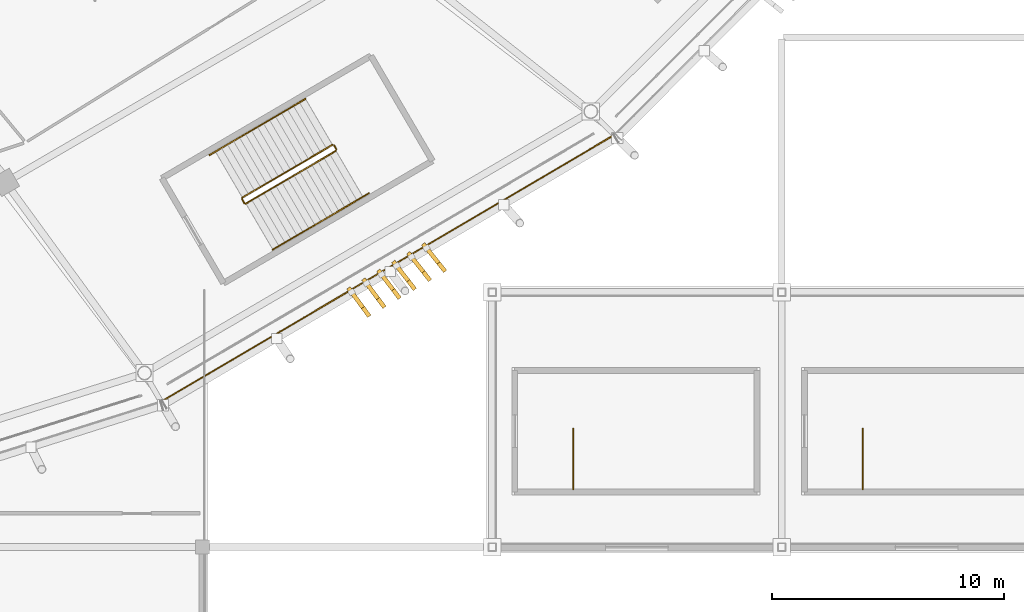
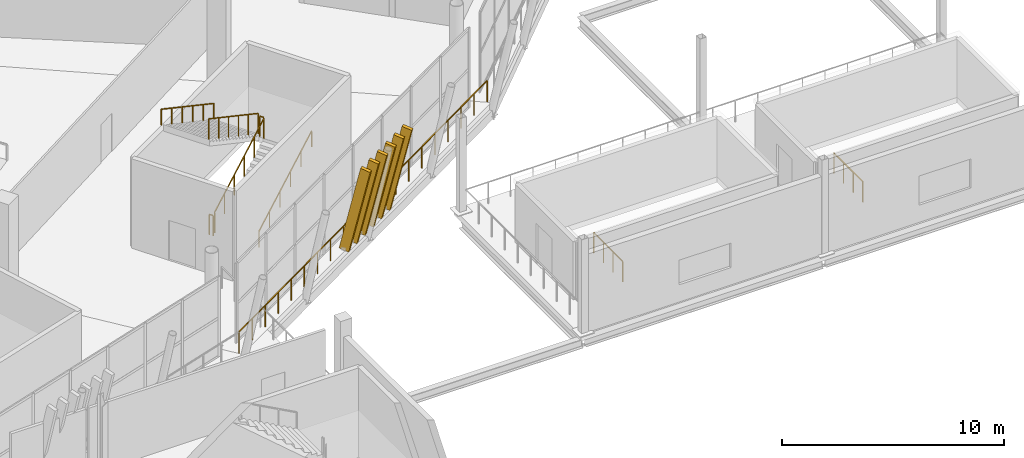
# One storey, part 160 of 178: 9 railings, 6 shading devices.
"""IFC4 building model written with IfcOpenShell, lengths in metres."""

from ifc_helpers import new_model, si_unit, direction, frame, origin, origin_2d, place, context, subcontext, project, spatial, rectangle, extrude, material, material_profile, profile_set, type_object, element, save


model = new_model("IFC4")

# Units and contexts
model_context = context("Model", 3, precision=1e-05, world=origin(), true_north=direction((0.0, 1.0)))
body_context = subcontext(model_context, "Body", "Model", "MODEL_VIEW")
ifc_project = project(units=[si_unit("LENGTHUNIT", "METRE"), si_unit("AREAUNIT", "SQUARE_METRE"), si_unit("VOLUMEUNIT", "CUBIC_METRE"), si_unit("PLANEANGLEUNIT", "RADIAN"), si_unit("MASSUNIT", "GRAM", prefix="KILO")], contexts=[model_context])

# Site, building, storey
site_placement = place(None, origin())
site = spatial("IfcSite", under=ifc_project, at=site_placement, CompositionType="ELEMENT")
building_placement = place(site_placement, origin())
building = spatial("IfcBuilding", under=site, at=building_placement, Name="Zlatoyarsky Gate Stadium", CompositionType="ELEMENT")
storey_placement = place(building_placement, frame((0.0, 0.0, 5.39990234375)))
storey = spatial("IfcBuildingStorey", under=building, at=storey_placement, Name="L01", CompositionType="ELEMENT", Elevation=5.39990234375)

# Railings
ifc_material_1 = material(Name="Powder-coated steel tubular guardrail", Category="steel")
railing_type_1 = type_object("IfcRailingType", Name="CONCOURSE SLAB EDGE GUARDRAIL 1200", PredefinedType="GUARDRAIL", material=ifc_material_1)
railing_1_placement = place(storey_placement, frame((158.214111328125, 17.275146484375, 0.0)))
element("IfcRailing", 1, at=railing_1_placement, inside=storey, type_object=railing_type_1, Name="L01 outer slab edge guardrail 20", PredefinedType="GUARDRAIL", context=body_context, shape_type="SweptSolid", body=[
    extrude(rectangle(XDim=0.048095703125, YDim=0.048095703125, at=origin_2d()), frame((0.0, 0.0, 1.17578125), z_axis=(0.861814713094, 0.507223225311, 0.0), x_axis=(-0.507223225311, 0.861814713094, 0.0)), (0.0, 0.0, 1.0), 22.692626953125),
    extrude(rectangle(XDim=0.0419921875, YDim=0.0419921875, at=origin_2d()), origin(), (0.0, 0.0, 1.0), 1.15185546875),
    extrude(rectangle(XDim=0.0419921875, YDim=0.0419921875, at=origin_2d()), frame((1.029296875, 0.605712890625, 0.0)), (0.0, 0.0, 1.0), 1.15185546875),
    extrude(rectangle(XDim=0.0419921875, YDim=0.0419921875, at=origin_2d()), frame((2.05859375, 1.211669921875, 0.0)), (0.0, 0.0, 1.0), 1.15185546875),
    extrude(rectangle(XDim=0.0419921875, YDim=0.0419921875, at=origin_2d()), frame((3.087890625, 1.8173828125, 0.0)), (0.0, 0.0, 1.0), 1.15185546875),
    extrude(rectangle(XDim=0.0419921875, YDim=0.0419921875, at=origin_2d()), frame((4.1171875, 2.423095703125, 0.0)), (0.0, 0.0, 1.0), 1.15185546875),
    extrude(rectangle(XDim=0.0419921875, YDim=0.0419921875, at=origin_2d()), frame((5.146484375, 3.029052734375, 0.0)), (0.0, 0.0, 1.0), 1.15185546875),
    extrude(rectangle(XDim=0.0419921875, YDim=0.0419921875, at=origin_2d()), frame((6.17578125, 3.634765625, 0.0)), (0.0, 0.0, 1.0), 1.15185546875),
    extrude(rectangle(XDim=0.0419921875, YDim=0.0419921875, at=origin_2d()), frame((7.205078125, 4.24072265625, 0.0)), (0.0, 0.0, 1.0), 1.15185546875),
    extrude(rectangle(XDim=0.0419921875, YDim=0.0419921875, at=origin_2d()), frame((8.234375, 4.846435546875, 0.0)), (0.0, 0.0, 1.0), 1.15185546875),
    extrude(rectangle(XDim=0.0419921875, YDim=0.0419921875, at=origin_2d()), frame((9.263671875, 5.4521484375, 0.0)), (0.0, 0.0, 1.0), 1.15185546875),
    extrude(rectangle(XDim=0.0419921875, YDim=0.0419921875, at=origin_2d()), frame((10.293212890625, 6.05810546875, 0.0)), (0.0, 0.0, 1.0), 1.15185546875),
    extrude(rectangle(XDim=0.0419921875, YDim=0.0419921875, at=origin_2d()), frame((11.322509765625, 6.663818359375, 0.0)), (0.0, 0.0, 1.0), 1.15185546875),
    extrude(rectangle(XDim=0.0419921875, YDim=0.0419921875, at=origin_2d()), frame((12.351806640625, 7.26953125, 0.0)), (0.0, 0.0, 1.0), 1.15185546875),
    extrude(rectangle(XDim=0.0419921875, YDim=0.0419921875, at=origin_2d()), frame((13.381103515625, 7.87548828125, 0.0)), (0.0, 0.0, 1.0), 1.15185546875),
    extrude(rectangle(XDim=0.0419921875, YDim=0.0419921875, at=origin_2d()), frame((14.410400390625, 8.481201171875, 0.0)), (0.0, 0.0, 1.0), 1.15185546875),
    extrude(rectangle(XDim=0.0419921875, YDim=0.0419921875, at=origin_2d()), frame((15.439697265625, 9.087158203125, 0.0)), (0.0, 0.0, 1.0), 1.15185546875),
    extrude(rectangle(XDim=0.0419921875, YDim=0.0419921875, at=origin_2d()), frame((16.468994140625, 9.69287109375, 0.0)), (0.0, 0.0, 1.0), 1.15185546875),
    extrude(rectangle(XDim=0.0419921875, YDim=0.0419921875, at=origin_2d()), frame((17.498291015625, 10.298583984375, 0.0)), (0.0, 0.0, 1.0), 1.15185546875),
    extrude(rectangle(XDim=0.0419921875, YDim=0.0419921875, at=origin_2d()), frame((18.527587890625, 10.904541015625, 0.0)), (0.0, 0.0, 1.0), 1.15185546875),
    extrude(rectangle(XDim=0.0419921875, YDim=0.0419921875, at=origin_2d()), frame((19.556884765625, 11.51025390625, 0.0)), (0.0, 0.0, 1.0), 1.15185546875),
])
ifc_material_2 = material(Name="Powder-coated steel stair guardrail", Category="steel")
railing_type_2 = type_object("IfcRailingType", Name="PAINTED STEEL STAIR WELL GUARDRAIL 1150", PredefinedType="GUARDRAIL", material=ifc_material_2)
railing_2_placement = place(storey_placement, frame((161.8779296875, 25.8232421875, 0.16259765625)))
element("IfcRailing", 2, at=railing_2_placement, inside=storey, type_object=railing_type_2, Name="ST-11 L01 stair guard 1", PredefinedType="GUARDRAIL", context=body_context, shape_type="SweptSolid", body=[
    extrude(rectangle(XDim=0.048095703125, YDim=0.048095703125, at=origin_2d()), frame((0.0, 0.0, 1.1259765625), z_axis=(0.758690244494, 0.444461582492, 0.476280394934), x_axis=(-0.505475820858, 0.862840770089, 0.0)), (0.0, 0.0, 1.0), 5.11767578125),
    extrude(rectangle(XDim=0.0419921875, YDim=0.0419921875, at=origin_2d()), origin(), (0.0, 0.0, 1.0), 1.101806640625),
    extrude(rectangle(XDim=0.0419921875, YDim=0.0419921875, at=origin_2d()), frame((0.776611328125, 0.454833984375, 0.487548828125)), (0.0, 0.0, 1.0), 1.101806640625),
    extrude(rectangle(XDim=0.0419921875, YDim=0.0419921875, at=origin_2d()), frame((1.55322265625, 0.909912109375, 0.97509765625)), (0.0, 0.0, 1.0), 1.101806640625),
    extrude(rectangle(XDim=0.0419921875, YDim=0.0419921875, at=origin_2d()), frame((2.32958984375, 1.36474609375, 1.46240234375)), (0.0, 0.0, 1.0), 1.101806640625),
    extrude(rectangle(XDim=0.0419921875, YDim=0.0419921875, at=origin_2d()), frame((3.106201171875, 1.81982421875, 1.949951171875)), (0.0, 0.0, 1.0), 1.101806640625),
    extrude(rectangle(XDim=0.0419921875, YDim=0.0419921875, at=origin_2d()), frame((3.8828125, 2.274658203125, 2.4375)), (0.0, 0.0, 1.0), 1.101806640625),
])
railing_3_placement = place(storey_placement, frame((165.778564453125, 28.166259765625, 2.60009765625)))
element("IfcRailing", 3, at=railing_3_placement, inside=storey, type_object=railing_type_2, Name="ST-11 L01 stair guard 2", PredefinedType="GUARDRAIL", context=body_context, shape_type="SweptSolid", body=[
    extrude(rectangle(XDim=0.048095703125, YDim=0.048095703125, at=origin_2d()), frame((0.0, 0.0, 1.1259765625), z_axis=(-0.505312229679, 0.862936585467, 0.0), x_axis=(-0.862936585467, -0.505312229679, 0.0)), (0.0, 0.0, 1.0), 0.199951171875),
    extrude(rectangle(XDim=0.0419921875, YDim=0.0419921875, at=origin_2d()), origin(), (0.0, 0.0, 1.0), 1.101806640625),
    extrude(rectangle(XDim=0.0419921875, YDim=0.0419921875, at=origin_2d()), frame((-0.10107421875, 0.172607421875, 0.0)), (0.0, 0.0, 1.0), 1.101806640625),
])
railing_4_placement = place(storey_placement, frame((165.609130859375, 28.356689453125, 2.7626953125)))
element("IfcRailing", 4, at=railing_4_placement, inside=storey, type_object=railing_type_2, Name="ST-11 L01 stair guard 3", PredefinedType="GUARDRAIL", context=body_context, shape_type="SweptSolid", body=[
    extrude(rectangle(XDim=0.048095703125, YDim=0.048095703125, at=origin_2d()), frame((0.0, 0.0, 1.1259765625), z_axis=(-0.758690244494, -0.444461582492, 0.476280394934), x_axis=(0.505475820858, -0.862840770089, 0.0)), (0.0, 0.0, 1.0), 5.11767578125),
    extrude(rectangle(XDim=0.0419921875, YDim=0.0419921875, at=origin_2d()), origin(), (0.0, 0.0, 1.0), 1.101806640625),
    extrude(rectangle(XDim=0.0419921875, YDim=0.0419921875, at=origin_2d()), frame((-0.776611328125, -0.454833984375, 0.487548828125)), (0.0, 0.0, 1.0), 1.101806640625),
    extrude(rectangle(XDim=0.0419921875, YDim=0.0419921875, at=origin_2d()), frame((-1.55322265625, -0.909912109375, 0.97509765625)), (0.0, 0.0, 1.0), 1.101806640625),
    extrude(rectangle(XDim=0.0419921875, YDim=0.0419921875, at=origin_2d()), frame((-2.32958984375, -1.36474609375, 1.46240234375)), (0.0, 0.0, 1.0), 1.101806640625),
    extrude(rectangle(XDim=0.0419921875, YDim=0.0419921875, at=origin_2d()), frame((-3.106201171875, -1.81982421875, 1.949951171875)), (0.0, 0.0, 1.0), 1.101806640625),
    extrude(rectangle(XDim=0.0419921875, YDim=0.0419921875, at=origin_2d()), frame((-3.8828125, -2.274658203125, 2.4375)), (0.0, 0.0, 1.0), 1.101806640625),
])
railing_5_placement = place(storey_placement, frame((161.809326171875, 25.841064453125, 0.0)))
element("IfcRailing", 5, at=railing_5_placement, inside=storey, type_object=railing_type_2, Name="ST-11 L01 stair guard 4", PredefinedType="GUARDRAIL", context=body_context, shape_type="SweptSolid", body=[
    extrude(rectangle(XDim=0.048095703125, YDim=0.048095703125, at=origin_2d()), frame((0.0, 0.0, 1.1259765625), z_axis=(-0.505312229679, 0.862936585467, 0.0), x_axis=(-0.862936585467, -0.505312229679, 0.0)), (0.0, 0.0, 1.0), 0.199951171875),
    extrude(rectangle(XDim=0.0419921875, YDim=0.0419921875, at=origin_2d()), origin(), (0.0, 0.0, 1.0), 1.101806640625),
    extrude(rectangle(XDim=0.0419921875, YDim=0.0419921875, at=origin_2d()), frame((-0.10107421875, 0.172607421875, 0.0)), (0.0, 0.0, 1.0), 1.101806640625),
])
for number, where, name in (
    (6, (176.0, 13.5, 0.0), "ST-23 L01 top well guard 1"),
    (7, (188.5, 13.5, 0.0), "ST-24 L01 top well guard 1"),
):
    element("IfcRailing", number, at=place(storey_placement, frame(where)), inside=storey, type_object=railing_type_2, Name=name, PredefinedType="GUARDRAIL", context=body_context, shape_type="SweptSolid", body=[
        extrude(rectangle(XDim=0.048095703125, YDim=0.048095703125, at=origin_2d()), frame((0.0, 0.0, 1.1259765625), z_axis=(0.0, 1.0, 0.0), x_axis=(-1.0, 0.0, 0.0)), (0.0, 0.0, 1.0), 2.60009765625),
        extrude(rectangle(XDim=0.0419921875, YDim=0.0419921875, at=origin_2d()), origin(), (0.0, 0.0, 1.0), 1.101806640625),
        extrude(rectangle(XDim=0.0419921875, YDim=0.0419921875, at=origin_2d()), frame((0.0, 0.86669921875, 0.0)), (0.0, 0.0, 1.0), 1.101806640625),
        extrude(rectangle(XDim=0.0419921875, YDim=0.0419921875, at=origin_2d()), frame((0.0, 1.7333984375, 0.0)), (0.0, 0.0, 1.0), 1.101806640625),
        extrude(rectangle(XDim=0.0419921875, YDim=0.0419921875, at=origin_2d()), frame((0.0, 2.60009765625, 0.0)), (0.0, 0.0, 1.0), 1.101806640625),
    ])

# Shading devices
ifc_material_3 = material(Name="Precast concrete C40/50 stone-toned architectural rib", Category="masonry")
ifc_material_profile = material_profile(ifc_material_3, rectangle(XDim=0.179931640625, YDim=0.47998046875, at=origin_2d()), Name="RIB 180X480")
ifc_profile_set = profile_set([ifc_material_profile], Name="Precast concrete C40/50 stone-toned architectural rib")
shading_device_type = type_object("IfcShadingDeviceType", Name="PRECAST RIBBED BOWL LOUVRE FIN 180X480", PredefinedType="JALOUSIE", material=ifc_profile_set)
for number, where, z_axis, x_axis, name in (
    (8, (166.437255859375, 22.000244140625, -0.010009765625), (0.130456010156, -0.17787605753, 0.975367283423), (0.806375662804, 0.591403661164, 0.0), "Leaning bowl louvre fin L01-20-1"),
    (9, (167.08349609375, 22.380859375, -0.010009765625), (0.131982167362, -0.176756379883, 0.975365515932), (0.801271376225, 0.598301079426, 0.0), "Leaning bowl louvre fin L01-20-2"),
    (10, (167.729736328125, 22.76123046875, -0.010009765625), (0.133510226202, -0.17553745442, 0.975377681514), (0.795939856582, 0.605375705412, 0.0), "Leaning bowl louvre fin L01-20-3"),
    (11, (168.376220703125, 23.141845703125, -0.010009765625), (0.135035411123, -0.17441649937, 0.975368813573), (0.790716503996, 0.612182497551, 0.0), "Leaning bowl louvre fin L01-20-4"),
    (12, (169.0224609375, 23.522216796875, -0.010009765625), (0.136562486548, -0.173196238528, 0.97537364647), (0.785260537783, 0.619165476913, 0.0), "Leaning bowl louvre fin L01-20-5"),
    (13, (169.668701171875, 23.90283203125, -0.010009765625), (0.138086632207, -0.172074056789, 0.975357678488), (0.779922977613, 0.625875505985, 0.0), "Leaning bowl louvre fin L01-20-6"),
):
    element("IfcShadingDevice", number, at=place(storey_placement, frame(where, z_axis=z_axis, x_axis=x_axis)), inside=storey, type_object=shading_device_type, Name=name, PredefinedType="JALOUSIE", context=body_context, shape_type="SweptSolid", body=[
        extrude(rectangle(XDim=0.179931640625, YDim=0.47998046875, at=origin_2d()), origin(), (0.0, 0.0, 1.0), 4.79833984375),
    ])

# Railings
ifc_material_4 = material(Name="Brushed stainless steel 316 handrail", Category="steel")
railing_type_3 = type_object("IfcRailingType", Name="STAINLESS STEEL TUBULAR HANDRAIL 900", PredefinedType="HANDRAIL", material=ifc_material_4)
railing_6_placement = place(storey_placement, frame((163.040283203125, 23.838623046875, 0.16650390625)))
element("IfcRailing", 14, at=railing_6_placement, inside=storey, type_object=railing_type_3, Name="ST-11 L01 stair handrail 1", PredefinedType="HANDRAIL", context=body_context, shape_type="SweptSolid", body=[
    extrude(rectangle(XDim=0.048095703125, YDim=0.048095703125, at=origin_2d()), frame((0.0, 0.0, 0.8759765625), z_axis=(0.758699709167, 0.444441951648, 0.476283637054), x_axis=(-0.505454504659, 0.86285325735, 0.0)), (0.0, 0.0, 1.0), 5.459228515625),
    extrude(rectangle(XDim=0.0419921875, YDim=0.0419921875, at=origin_2d()), origin(), (0.0, 0.0, 1.0), 0.851806640625),
    extrude(rectangle(XDim=0.0419921875, YDim=0.0419921875, at=origin_2d()), frame((0.828369140625, 0.4853515625, 0.52001953125)), (0.0, 0.0, 1.0), 0.851806640625),
    extrude(rectangle(XDim=0.0419921875, YDim=0.0419921875, at=origin_2d()), frame((1.65673828125, 0.970458984375, 1.0400390625)), (0.0, 0.0, 1.0), 0.851806640625),
    extrude(rectangle(XDim=0.0419921875, YDim=0.0419921875, at=origin_2d()), frame((2.485107421875, 1.455810546875, 1.56005859375)), (0.0, 0.0, 1.0), 0.851806640625),
    extrude(rectangle(XDim=0.0419921875, YDim=0.0419921875, at=origin_2d()), frame((3.3134765625, 1.94091796875, 2.080078125)), (0.0, 0.0, 1.0), 0.851806640625),
    extrude(rectangle(XDim=0.0419921875, YDim=0.0419921875, at=origin_2d()), frame((4.141845703125, 2.42626953125, 2.60009765625)), (0.0, 0.0, 1.0), 0.851806640625),
])
railing_7_placement = place(storey_placement, frame((164.446533203125, 30.34130859375, 2.7666015625)))
element("IfcRailing", 15, at=railing_7_placement, inside=storey, type_object=railing_type_3, Name="ST-11 L01 stair handrail 2", PredefinedType="HANDRAIL", context=body_context, shape_type="SweptSolid", body=[
    extrude(rectangle(XDim=0.048095703125, YDim=0.048095703125, at=origin_2d()), frame((0.0, 0.0, 0.8759765625), z_axis=(-0.758699709167, -0.444441951648, 0.476283637054), x_axis=(0.505454504659, -0.86285325735, 0.0)), (0.0, 0.0, 1.0), 5.459228515625),
    extrude(rectangle(XDim=0.0419921875, YDim=0.0419921875, at=origin_2d()), origin(), (0.0, 0.0, 1.0), 0.851806640625),
    extrude(rectangle(XDim=0.0419921875, YDim=0.0419921875, at=origin_2d()), frame((-0.828369140625, -0.4853515625, 0.52001953125)), (0.0, 0.0, 1.0), 0.851806640625),
    extrude(rectangle(XDim=0.0419921875, YDim=0.0419921875, at=origin_2d()), frame((-1.65673828125, -0.970458984375, 1.0400390625)), (0.0, 0.0, 1.0), 0.851806640625),
    extrude(rectangle(XDim=0.0419921875, YDim=0.0419921875, at=origin_2d()), frame((-2.485107421875, -1.455810546875, 1.56005859375)), (0.0, 0.0, 1.0), 0.851806640625),
    extrude(rectangle(XDim=0.0419921875, YDim=0.0419921875, at=origin_2d()), frame((-3.3134765625, -1.94091796875, 2.080078125)), (0.0, 0.0, 1.0), 0.851806640625),
    extrude(rectangle(XDim=0.0419921875, YDim=0.0419921875, at=origin_2d()), frame((-4.141845703125, -2.42626953125, 2.60009765625)), (0.0, 0.0, 1.0), 0.851806640625),
])

save(model, "model.ifc")
